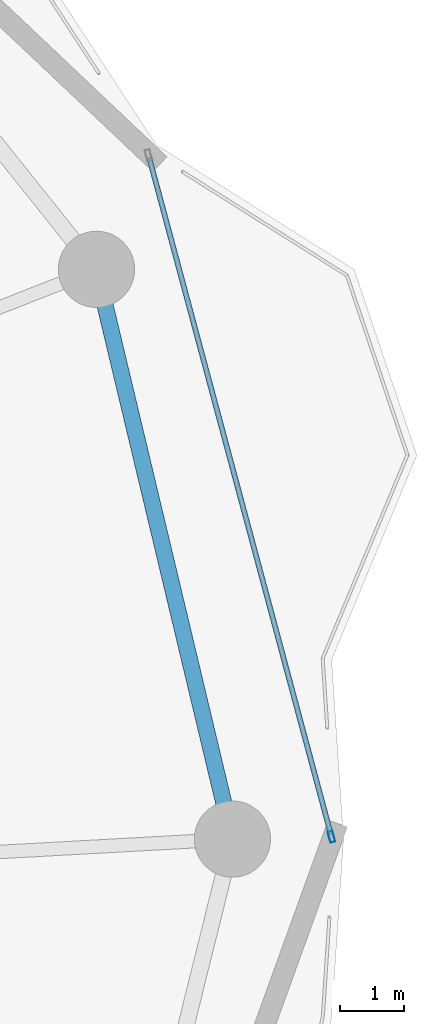
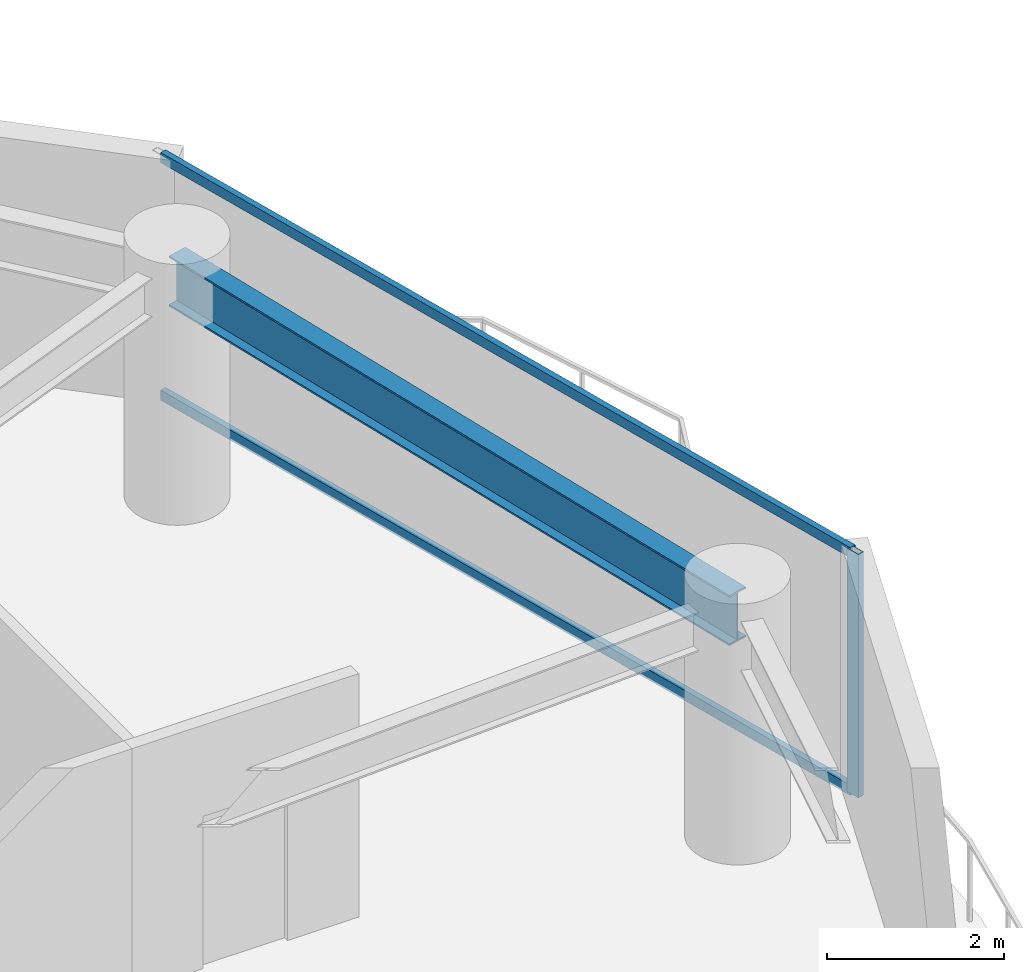
# One storey, part 15 of 28: 3 members, 1 beam, 1 element without a shape of its own.
"""IFC4 building model written with IfcOpenShell, lengths in metres."""

from ifc_helpers import new_model, si_unit, direction, frame, origin, origin_2d, place, context, subcontext, project, spatial, hollow_rectangle, i_section, extrude, material, layer, layer_set, material_profile, profile_set, type_object, element, aggregate, save


model = new_model("IFC4")

# Units and contexts
model_context = context("Model", 3, precision=1e-05, world=origin(), true_north=direction((0.0, 1.0)))
body_context = subcontext(model_context, "Body", "Model", "MODEL_VIEW")
ifc_project = project(units=[si_unit("LENGTHUNIT", "METRE"), si_unit("AREAUNIT", "SQUARE_METRE"), si_unit("VOLUMEUNIT", "CUBIC_METRE"), si_unit("PLANEANGLEUNIT", "RADIAN"), si_unit("MASSUNIT", "GRAM", prefix="KILO")], contexts=[model_context])

# Site, building, storey
site_placement = place(None, origin())
site = spatial("IfcSite", under=ifc_project, at=site_placement, CompositionType="ELEMENT")
building_placement = place(site_placement, origin())
building = spatial("IfcBuilding", under=site, at=building_placement, Name="Kazevale Care Tower and Concert Hall", CompositionType="ELEMENT")
storey_placement = place(building_placement, frame((0.0, 0.0, 109.800048828125)))
storey = spatial("IfcBuildingStorey", under=building, at=storey_placement, Name="L28", CompositionType="ELEMENT", Elevation=109.800048828125)

# Curtain wall, members
ifc_material_1 = material(Name="Aluminium 6063-T6 and Low-E Glass", Category="aluminium")
ifc_layer = layer(ifc_material_1, 0.179931640625)
ifc_layer_set = layer_set([ifc_layer], Name="Aluminium 6063-T6 and Low-E Glass")
curtain_wall_type = type_object("IfcCurtainWallType", Name="Waist & Upper Residential Curtain Wall CW-4", PredefinedType="NOTDEFINED", material=ifc_layer_set)
curtain_wall_placement = place(storey_placement, origin())
curtain_wall = element("IfcCurtainWall", 1, at=curtain_wall_placement, inside=storey, type_object=curtain_wall_type, Name="cw:L28:f18", PredefinedType="NOTDEFINED")
ifc_material_2 = material(Name="Aluminium 6063-T6", Category="aluminium")
ifc_material_profile_1 = material_profile(ifc_material_2, hollow_rectangle(XDim=0.080078125, YDim=0.179931640625, WallThickness=0.0048828125, at=origin_2d()), Name="ALU80x180x5")
ifc_profile_set_1 = profile_set([ifc_material_profile_1], Name="Aluminium 6063-T6")
member_type_1 = type_object("IfcMemberType", Name="CW-4 Mullion ALU80x180x5", PredefinedType="MULLION", material=ifc_profile_set_1)
member_1_placement = place(storey_placement, frame((74.609619140625, 38.03857421875, 0.0), z_axis=(0.0, 0.0, 1.0), x_axis=(0.965806263229, 0.259264848961, 0.0)))
member_1 = element("IfcMember", 2, at=member_1_placement, type_object=member_type_1, Name="CW-4 mullion 2", PredefinedType="MULLION", context=body_context, shape_type="SweptSolid", body=[
    extrude(hollow_rectangle(XDim=0.080078125, YDim=0.179931640625, WallThickness=0.0048828125, at=origin_2d()), origin(), (0.0, 0.0, 1.0), 3.35986328125),
])
ifc_material_profile_2 = material_profile(ifc_material_2, hollow_rectangle(XDim=0.080078125, YDim=0.139892578125, WallThickness=0.00390625, at=origin_2d()), Name="ALU80x140x4")
ifc_profile_set_2 = profile_set([ifc_material_profile_2], Name="Aluminium 6063-T6")
member_type_2 = type_object("IfcMemberType", Name="CW-4 Transom ALU80x140x4", PredefinedType="USERDEFINED", material=ifc_profile_set_2)
member_2_placement = place(storey_placement, frame((71.74072265625, 48.725830078125, 0.0400390625), z_axis=(0.259270636335, -0.965804709625, 0.0), x_axis=(0.965804709625, 0.259270636335, 0.0)))
member_2 = element("IfcMember", 3, at=member_2_placement, type_object=member_type_2, Name="CW-4 transom 1.1", ObjectType="TRANSOM", PredefinedType="USERDEFINED", context=body_context, shape_type="SweptSolid", body=[
    extrude(hollow_rectangle(XDim=0.080078125, YDim=0.139892578125, WallThickness=0.00390625, at=origin_2d()), origin(), (0.0, 0.0, 1.0), 11.025634765625),
])
member_3_placement = place(storey_placement, frame((71.74072265625, 48.725830078125, 3.320068359375), z_axis=(0.259270636335, -0.965804709625, 0.0), x_axis=(0.965804709625, 0.259270636335, 0.0)))
member_3 = element("IfcMember", 4, at=member_3_placement, type_object=member_type_2, Name="CW-4 transom 1.2", ObjectType="TRANSOM", PredefinedType="USERDEFINED", context=body_context, shape_type="SweptSolid", body=[
    extrude(hollow_rectangle(XDim=0.080078125, YDim=0.139892578125, WallThickness=0.00390625, at=origin_2d()), origin(), (0.0, 0.0, 1.0), 11.025634765625),
])
aggregate(curtain_wall, [member_1, member_2, member_3])

# Beam
ifc_material_3 = material(Name="Steel ASTM A572 Gr 50", Category="steel")
ifc_material_profile_3 = material_profile(ifc_material_3, i_section(OverallWidth=0.256103515625, OverallDepth=0.693115234375, WebThickness=0.014404296875, FlangeThickness=0.023681640625, at=origin_2d()), Name="W690x170")
ifc_profile_set_3 = profile_set([ifc_material_profile_3], Name="Steel ASTM A572 Gr 50")
beam_type = type_object("IfcBeamType", Name="Waist Ring Beam W690x170", PredefinedType="BEAM", material=ifc_profile_set_3)
beam_placement = place(storey_placement, frame((73.050048828125, 38.0, 3.013427734375), z_axis=(-0.232075055882, 0.972697881378, 0.0), x_axis=(-0.972697881378, -0.232075055882, 0.0)))
element("IfcBeam", 5, at=beam_placement, inside=storey, type_object=beam_type, Name="beam:L28:ring:01", PredefinedType="BEAM", context=body_context, shape_type="SweptSolid", body=[
    extrude(i_section(OverallWidth=0.256103515625, OverallDepth=0.693115234375, WebThickness=0.014404296875, FlangeThickness=0.023681640625, at=origin_2d()), origin(), (0.0, 0.0, 1.0), 9.2216796875),
])

save(model, "model.ifc")
